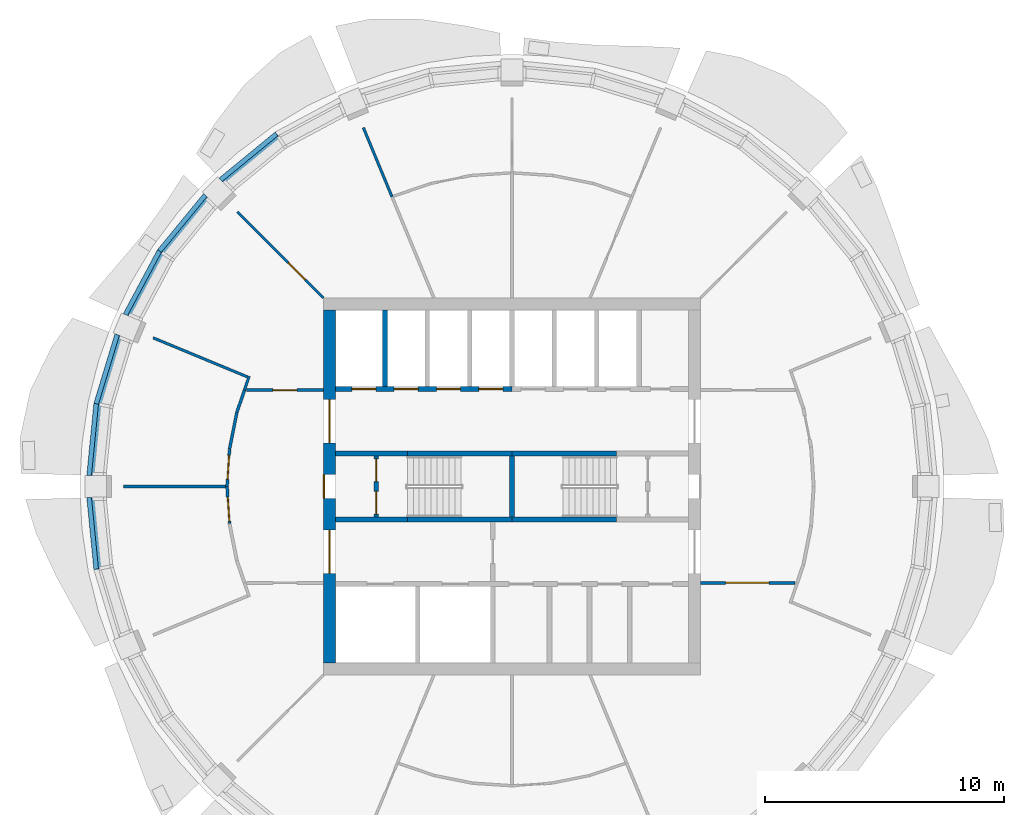
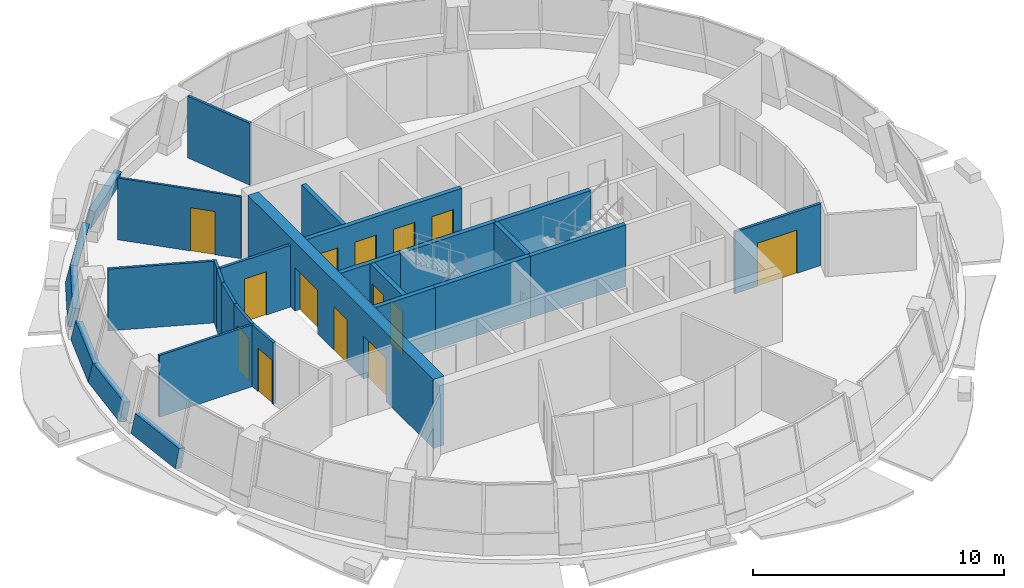
# One storey, part 5 of 11: 28 walls, 14 doors, 14 openings.
"""IFC4 building model written with IfcOpenShell, lengths in metres."""

from ifc_helpers import new_model, si_unit, direction, frame, frame_2d, origin, place, context, subcontext, project, spatial, polyline, rectangle, outline, extrude, material, layer, layer_set, type_object, element, fill, save


model = new_model("IFC4")

# Units and contexts
model_context = context("Model", 3, precision=1e-05, world=origin(), true_north=direction((0.0, 1.0)))
body_context = subcontext(model_context, "Body", "Model", "MODEL_VIEW")
ifc_project = project(units=[si_unit("LENGTHUNIT", "METRE"), si_unit("AREAUNIT", "SQUARE_METRE"), si_unit("VOLUMEUNIT", "CUBIC_METRE"), si_unit("PLANEANGLEUNIT", "RADIAN"), si_unit("MASSUNIT", "GRAM", prefix="KILO")], contexts=[model_context])

# Site, building, storey
site_placement = place(None, origin())
site = spatial("IfcSite", under=ifc_project, at=site_placement, CompositionType="ELEMENT")
building_placement = place(site_placement, origin())
building = spatial("IfcBuilding", under=site, at=building_placement, Name="Polderwave Tower", CompositionType="ELEMENT")
storey_placement = place(building_placement, frame((0.0, 0.0, 194.35009765625)))
storey = spatial("IfcBuildingStorey", under=building, at=storey_placement, Name="L52", CompositionType="ELEMENT", Elevation=194.35009765625)

# Wall, openings, doors
ifc_material_1 = material(Name="Concrete C60/75", Category="concrete")
ifc_layer_1 = layer(ifc_material_1, 0.5)
ifc_layer_set_1 = layer_set([ifc_layer_1], Name="CORE WALL 500 C60/75")
wall_type_1 = type_object("IfcWallType", Name="CORE WALL 500 C60/75", PredefinedType="SHEAR", material=ifc_layer_set_1)
wall_1_placement = place(storey_placement, frame((-7.6240234375, -7.3740234375, 0.0), z_axis=(0.0, 0.0, 1.0), x_axis=(0.0, 1.0, 0.0)))
wall_1 = element("IfcWall", 1, at=wall_1_placement, inside=storey, type_object=wall_type_1, Name="ST-CORE-L52-W", PredefinedType="SHEAR", context=body_context, shape_type="SweptSolid", body=[
    extrude(rectangle(XDim=14.748046875, YDim=0.5, at=frame_2d((7.3740234375, 0.0))), origin(), (0.0, 0.0, 1.0), 3.349853515625),
])
opening_1_placement = place(wall_1_placement, frame((6.8740234375, 0.0, 0.0)))
opening_1 = element("IfcOpeningElement", 2, at=opening_1_placement, cuts=wall_1, Name="Opening L52-D20", PredefinedType="OPENING", context=body_context, shape_type="SweptSolid", body=[
    extrude(rectangle(XDim=1.0, YDim=2.10009765625, at=frame_2d((0.5, 1.050048828125))), frame((0.0, 0.260009765625, 0.0), z_axis=(0.0, -1.0, 0.0), x_axis=(1.0, 0.0, 0.0)), (0.0, 0.0, 1.0), 0.52001953125),
])
opening_2_placement = place(wall_1_placement, frame((3.74951171875, 0.0, 0.0)))
opening_2 = element("IfcOpeningElement", 3, at=opening_2_placement, cuts=wall_1, Name="Opening L52-D21", PredefinedType="OPENING", context=body_context, shape_type="SweptSolid", body=[
    extrude(rectangle(XDim=1.800048828125, YDim=2.10009765625, at=frame_2d((0.89990234375, 1.050048828125))), frame((0.0, 0.260009765625, 0.0), z_axis=(0.0, -1.0, 0.0), x_axis=(1.0, 0.0, 0.0)), (0.0, 0.0, 1.0), 0.52001953125),
])
opening_3_placement = place(wall_1_placement, frame((9.198486328125, 0.0, 0.0)))
opening_3 = element("IfcOpeningElement", 4, at=opening_3_placement, cuts=wall_1, Name="Opening L52-D22", PredefinedType="OPENING", context=body_context, shape_type="SweptSolid", body=[
    extrude(rectangle(XDim=1.800048828125, YDim=2.10009765625, at=frame_2d((0.89990234375, 1.050048828125))), frame((0.0, 0.260009765625, 0.0), z_axis=(0.0, -1.0, 0.0), x_axis=(1.0, 0.0, 0.0)), (0.0, 0.0, 1.0), 0.52001953125),
])
ifc_material_2 = material(Name="Steel fire door", Category="steel")
door_type_1 = type_object("IfcDoorType", Name="Lobby entry door pair 1800", OperationType="DOUBLE_DOOR_SINGLE_SWING", PredefinedType="DOOR", material=ifc_material_2)
door_1_placement = place(opening_2_placement, origin())
door_1 = element("IfcDoor", 5, at=door_1_placement, inside=storey, type_object=door_type_1, Name="Fire-fighting lobby entry door", OperationType="DOUBLE_DOOR_SINGLE_SWING", OverallHeight=2.10009765625, OverallWidth=1.800048828125, PredefinedType="DOOR", context=body_context, shape_type="SweptSolid", body=[
    extrude(rectangle(XDim=1.800048828125, YDim=2.10009765625, at=frame_2d((0.89990234375, 1.050048828125))), frame((0.0, 0.02490234375, 0.0), z_axis=(0.0, -1.0, 0.0), x_axis=(1.0, 0.0, 0.0)), (0.0, 0.0, 1.0), 0.050048828125),
])
fill(opening_2, door_1)
door_2_placement = place(opening_3_placement, origin())
door_2 = element("IfcDoor", 6, at=door_2_placement, inside=storey, type_object=door_type_1, Name="North lobby entry door", OperationType="DOUBLE_DOOR_SINGLE_SWING", OverallHeight=2.10009765625, OverallWidth=1.800048828125, PredefinedType="DOOR", context=body_context, shape_type="SweptSolid", body=[
    extrude(rectangle(XDim=1.800048828125, YDim=2.10009765625, at=frame_2d((0.89990234375, 1.050048828125))), frame((0.0, 0.02490234375, 0.0), z_axis=(0.0, -1.0, 0.0), x_axis=(1.0, 0.0, 0.0)), (0.0, 0.0, 1.0), 0.050048828125),
])
fill(opening_3, door_2)
door_type_2 = type_object("IfcDoorType", Name="Stair door 1000", OperationType="NOTDEFINED", PredefinedType="DOOR", material=ifc_material_2)
door_3_placement = place(opening_1_placement, origin())
door_3 = element("IfcDoor", 7, at=door_3_placement, inside=storey, type_object=door_type_2, Name="Stair A entry door", OperationType="SINGLE_SWING_RIGHT", OverallHeight=2.10009765625, OverallWidth=1.0, PredefinedType="DOOR", context=body_context, shape_type="SweptSolid", body=[
    extrude(rectangle(XDim=1.0, YDim=2.10009765625, at=frame_2d((0.5, 1.050048828125))), frame((0.0, 0.25, 0.0), z_axis=(0.0, -1.0, 0.0), x_axis=(1.0, 0.0, 0.0)), (0.0, 0.0, 1.0), 0.050048828125),
])
fill(opening_1, door_3)

# Walls
ifc_material_3 = material(Name="Concrete C50/60 (board-marked)", Category="concrete")
ifc_layer_2 = layer(ifc_material_3, 0.300048828125)
ifc_layer_set_2 = layer_set([ifc_layer_2], Name="Concrete spandrel upstand C50/60")
wall_type_2 = type_object("IfcWallType", Name="Concrete spandrel upstand C50/60", PredefinedType="SOLIDWALL", material=ifc_layer_set_2)
wall_2_placement = place(storey_placement, frame((-9.8916015625, 14.80419921875, 0.0), z_axis=(-0.619802269372, 0.755497688388, 0.212293169277), x_axis=(-0.773120249997, -0.634259472964, -5.64234e-07)))
element("IfcWall", 8, at=wall_2_placement, inside=storey, type_object=wall_type_2, Name="Spandrel L52 6b", PredefinedType="SOLIDWALL", context=body_context, shape_type="SweptSolid", body=[
    extrude(outline(polyline([(0.0, 0.0), (3.0362768375144626, 0.0), (3.01698634388749, 0.9208949038144901), (0.019221864233381108, 0.9208914197913123), (0.0, 0.0)])), origin(), (0.0, 0.0, -1.0), 0.300048828125),
])
wall_3_placement = place(storey_placement, frame((-12.87841796875, 12.239013671875, 0.0), z_axis=(-0.755500106736, 0.619771818159, 0.212373449702), x_axis=(-0.634240527939, -0.773135791887, -4.761105e-06)))
element("IfcWall", 9, at=wall_3_placement, inside=storey, type_object=wall_type_2, Name="Spandrel L52 7a", PredefinedType="SOLIDWALL", context=body_context, shape_type="SweptSolid", body=[
    extrude(outline(polyline([(0.0, 0.0), (3.0362768367621835, 0.0), (3.0172437244918555, 0.9209243016317832), (0.01929049212719335, 0.9208949013655712), (0.0, 0.0)])), origin(), (0.0, 0.0, -1.0), 0.300048828125),
])
wall_4_placement = place(storey_placement, frame((-14.80419921875, 9.8916015625, 0.0), z_axis=(-0.861789394807, 0.460754770514, 0.212188784921), x_axis=(-0.471490043987, -0.881871384263, 6.256758e-06)))
element("IfcWall", 10, at=wall_4_placement, inside=storey, type_object=wall_type_2, Name="Spandrel L52 7b", PredefinedType="SOLIDWALL", context=body_context, shape_type="SweptSolid", body=[
    extrude(outline(polyline([(0.0, 0.0), (3.03554549958396, 5.551115123125783e-17), (3.016121787351928, 0.9208524867681933), (0.01923650677477023, 0.9208911097248913), (0.0, 0.0)])), origin(), (0.0, 0.0, -1.0), 0.300048828125),
])
wall_5_placement = place(storey_placement, frame((-16.581298828125, 6.37890625, 0.0), z_axis=(-0.935106755918, 0.283813796785, 0.212191149183), x_axis=(-0.290427135022, -0.95689711006, 1.064503e-06)))
element("IfcWall", 11, at=wall_5_placement, inside=storey, type_object=wall_type_2, Name="Spandrel L52 8a", PredefinedType="SOLIDWALL", context=body_context, shape_type="SweptSolid", body=[
    extrude(outline(polyline([(0.0, 0.0), (3.036390458624818, -2.7755575615628914e-17), (3.0168916459767527, 0.9208689950614573), (0.01927267390959606, 0.9208755679572916), (0.0, 0.0)])), origin(), (0.0, 0.0, -1.0), 0.300048828125),
])
wall_6_placement = place(storey_placement, frame((-17.463134765625, 3.473388671875, 0.0), z_axis=(-0.97243560254, 0.095859451019, 0.212555791646), x_axis=(-0.098101931965, -0.995176371772, -3.531569e-06)))
element("IfcWall", 12, at=wall_6_placement, inside=storey, type_object=wall_type_2, Name="Spandrel L52 8b", PredefinedType="SOLIDWALL", context=body_context, shape_type="SweptSolid", body=[
    extrude(outline(polyline([(0.0, 0.0), (3.0356437454340064, 0.0), (3.0160933667967216, 0.9209578660590205), (0.019220983093998154, 0.920936063603324), (0.0, 0.0)])), origin(), (0.0, 0.0, -1.0), 0.300048828125),
])
wall_7_placement = place(storey_placement, frame((-17.760986328125, -0.452392578125, 0.0), z_axis=(-0.97249010376, -0.095864823567, 0.212303871116), x_axis=(0.098101930154, -0.99517637195, 3.527581e-06)))
element("IfcWall", 13, at=wall_7_placement, inside=storey, type_object=wall_type_2, Name="Spandrel L52 9a", PredefinedType="SOLIDWALL", context=body_context, shape_type="SweptSolid", body=[
    extrude(outline(polyline([(0.0, 0.0), (3.0356437454339593, 0.0), (3.0163988077285375, 0.9208844640206579), (0.019526424025674134, 0.9209062406361449), (0.0, 0.0)])), origin(), (0.0, 0.0, -1.0), 0.300048828125),
])

# Wall, openings, doors
ifc_material_4 = material(Name="Gypsum board partition")
ifc_layer_3 = layer(ifc_material_4, 0.199951171875)
ifc_layer_set_3 = layer_set([ifc_layer_3], Name="Core room partition 200")
wall_type_3 = type_object("IfcWallType", Name="Core room partition 200", PredefinedType="PARTITIONING", material=ifc_layer_set_3)
wall_8_placement = place(storey_placement, frame((-5.674072265625, -1.27490234375, 0.0), z_axis=(0.0, 0.0, 1.0), x_axis=(0.0, 1.0, 0.0)))
wall_8 = element("IfcWall", 14, at=wall_8_placement, inside=storey, type_object=wall_type_3, Name="L52 smoke lobby wall A", PredefinedType="PARTITIONING", context=body_context, shape_type="SweptSolid", body=[
    extrude(rectangle(XDim=2.5498046875, YDim=0.199951171875, at=frame_2d((1.27490234375, 0.0))), origin(), (0.0, 0.0, 1.0), 3.0),
])
opening_4_placement = place(wall_8_placement, frame((0.125, 0.0, 0.0)))
opening_4 = element("IfcOpeningElement", 15, at=opening_4_placement, cuts=wall_8, Name="Opening L52-D10", PredefinedType="OPENING", context=body_context, shape_type="SweptSolid", body=[
    extrude(rectangle(XDim=0.949951171875, YDim=2.10009765625, at=frame_2d((0.47509765625, 1.050048828125))), frame((0.0, 0.10986328125, 0.0), z_axis=(0.0, -1.0, 0.0), x_axis=(1.0, 0.0, 0.0)), (0.0, 0.0, 1.0), 0.219970703125),
])
opening_5_placement = place(wall_8_placement, frame((1.47509765625, 0.0, 0.0)))
opening_5 = element("IfcOpeningElement", 16, at=opening_5_placement, cuts=wall_8, Name="Opening L52-D11", PredefinedType="OPENING", context=body_context, shape_type="SweptSolid", body=[
    extrude(rectangle(XDim=0.949951171875, YDim=2.10009765625, at=frame_2d((0.47509765625, 1.050048828125))), frame((0.0, 0.10986328125, 0.0), z_axis=(0.0, -1.0, 0.0), x_axis=(1.0, 0.0, 0.0)), (0.0, 0.0, 1.0), 0.219970703125),
])
door_type_3 = type_object("IfcDoorType", Name="Smoke lobby door 950", OperationType="NOTDEFINED", PredefinedType="DOOR", material=ifc_material_2)
door_4_placement = place(opening_4_placement, origin())
door_4 = element("IfcDoor", 17, at=door_4_placement, inside=storey, type_object=door_type_3, Name="Stair A smoke lobby inner door", OperationType="SINGLE_SWING_LEFT", OverallHeight=2.10009765625, OverallWidth=0.949951171875, PredefinedType="DOOR", context=body_context, shape_type="SweptSolid", body=[
    extrude(rectangle(XDim=0.949951171875, YDim=2.10009765625, at=frame_2d((0.47509765625, 1.050048828125))), frame((0.0, 0.02490234375, 0.0), z_axis=(0.0, -1.0, 0.0), x_axis=(1.0, 0.0, 0.0)), (0.0, 0.0, 1.0), 0.050048828125),
])
fill(opening_4, door_4)
door_5_placement = place(opening_5_placement, origin())
door_5 = element("IfcDoor", 18, at=door_5_placement, inside=storey, type_object=door_type_3, Name="Stair A smoke lobby inner door", OperationType="SINGLE_SWING_RIGHT", OverallHeight=2.10009765625, OverallWidth=0.949951171875, PredefinedType="DOOR", context=body_context, shape_type="SweptSolid", body=[
    extrude(rectangle(XDim=0.949951171875, YDim=2.10009765625, at=frame_2d((0.47509765625, 1.050048828125))), frame((0.0, 0.02490234375, 0.0), z_axis=(0.0, -1.0, 0.0), x_axis=(1.0, 0.0, 0.0)), (0.0, 0.0, 1.0), 0.050048828125),
])
fill(opening_5, door_5)

ifc_material_5 = material(Name="Concrete C50/60", Category="concrete")
ifc_layer_4 = layer(ifc_material_5, 0.199951171875)
ifc_layer_set_4 = layer_set([ifc_layer_4], Name="Core web wall 200")
wall_type_4 = type_object("IfcWallType", Name="Core web wall 200", PredefinedType="SHEAR", material=ifc_layer_set_4)
wall_9_placement = place(storey_placement, frame((-7.3740234375, 4.073974609375, 0.0), z_axis=(0.0, 0.0, 1.0), x_axis=(1.0, 0.0, 0.0)))
wall_9 = element("IfcWall", 19, at=wall_9_placement, inside=storey, type_object=wall_type_4, Name="L52 north front wall 1", PredefinedType="SHEAR", context=body_context, shape_type="SweptSolid", body=[
    extrude(rectangle(XDim=7.3740234375, YDim=0.199951171875, at=frame_2d((3.68701171875, 0.0))), origin(), (0.0, 0.0, 1.0), 3.0),
])
opening_6_placement = place(wall_9_placement, frame((0.68408203125, 0.0, 0.0)))
opening_6 = element("IfcOpeningElement", 20, at=opening_6_placement, cuts=wall_9, Name="Opening L52-D03", PredefinedType="OPENING", context=body_context, shape_type="SweptSolid", body=[
    extrude(rectangle(XDim=1.0, YDim=2.10009765625, at=frame_2d((0.5, 1.050048828125))), frame((0.0, 0.10986328125, 0.0), z_axis=(0.0, -1.0, 0.0), x_axis=(1.0, 0.0, 0.0)), (0.0, 0.0, 1.0), 0.219970703125),
])
opening_7_placement = place(wall_9_placement, frame((2.45263671875, 0.0, 0.0)))
opening_7 = element("IfcOpeningElement", 21, at=opening_7_placement, cuts=wall_9, Name="Opening L52-D04", PredefinedType="OPENING", context=body_context, shape_type="SweptSolid", body=[
    extrude(rectangle(XDim=1.0, YDim=2.10009765625, at=frame_2d((0.5, 1.050048828125))), frame((0.0, 0.10986328125, 0.0), z_axis=(0.0, -1.0, 0.0), x_axis=(1.0, 0.0, 0.0)), (0.0, 0.0, 1.0), 0.219970703125),
])
opening_8_placement = place(wall_9_placement, frame((4.22119140625, 0.0, 0.0)))
opening_8 = element("IfcOpeningElement", 22, at=opening_8_placement, cuts=wall_9, Name="Opening L52-D05", PredefinedType="OPENING", context=body_context, shape_type="SweptSolid", body=[
    extrude(rectangle(XDim=1.0, YDim=2.10009765625, at=frame_2d((0.5, 1.050048828125))), frame((0.0, 0.10986328125, 0.0), z_axis=(0.0, -1.0, 0.0), x_axis=(1.0, 0.0, 0.0)), (0.0, 0.0, 1.0), 0.219970703125),
])
opening_9_placement = place(wall_9_placement, frame((5.98974609375, 0.0, 0.0)))
opening_9 = element("IfcOpeningElement", 23, at=opening_9_placement, cuts=wall_9, Name="Opening L52-D06", PredefinedType="OPENING", context=body_context, shape_type="SweptSolid", body=[
    extrude(rectangle(XDim=1.0, YDim=2.10009765625, at=frame_2d((0.5, 1.050048828125))), frame((0.0, 0.10986328125, 0.0), z_axis=(0.0, -1.0, 0.0), x_axis=(1.0, 0.0, 0.0)), (0.0, 0.0, 1.0), 0.219970703125),
])
ifc_material_6 = material(Name="Stainless steel", Category="steel")
door_type_4 = type_object("IfcDoorType", Name="Lift landing door 1000", OperationType="DOUBLE_DOOR_SLIDING", PredefinedType="DOOR", material=ifc_material_6)
door_6_placement = place(opening_6_placement, frame((1.0, 0.0, 0.0), z_axis=(0.0, 0.0, 1.0), x_axis=(-1.0, 0.0, 0.0)))
door_6 = element("IfcDoor", 24, at=door_6_placement, inside=storey, type_object=door_type_4, Name="Lift HL1 landing door", OperationType="DOUBLE_DOOR_SLIDING", OverallHeight=2.10009765625, OverallWidth=1.0, PredefinedType="DOOR", context=body_context, shape_type="SweptSolid", body=[
    extrude(rectangle(XDim=1.0, YDim=2.10009765625, at=frame_2d((0.5, 1.050048828125))), frame((0.0, 0.02490234375, 0.0), z_axis=(0.0, -1.0, 0.0), x_axis=(1.0, 0.0, 0.0)), (0.0, 0.0, 1.0), 0.050048828125),
])
fill(opening_6, door_6)
door_7_placement = place(opening_7_placement, frame((1.0, 0.0, 0.0), z_axis=(0.0, 0.0, 1.0), x_axis=(-1.0, 0.0, 0.0)))
door_7 = element("IfcDoor", 25, at=door_7_placement, inside=storey, type_object=door_type_4, Name="Lift HL2 landing door", OperationType="DOUBLE_DOOR_SLIDING", OverallHeight=2.10009765625, OverallWidth=1.0, PredefinedType="DOOR", context=body_context, shape_type="SweptSolid", body=[
    extrude(rectangle(XDim=1.0, YDim=2.10009765625, at=frame_2d((0.5, 1.050048828125))), frame((0.0, 0.02490234375, 0.0), z_axis=(0.0, -1.0, 0.0), x_axis=(1.0, 0.0, 0.0)), (0.0, 0.0, 1.0), 0.050048828125),
])
fill(opening_7, door_7)
door_8_placement = place(opening_8_placement, frame((1.0, 0.0, 0.0), z_axis=(0.0, 0.0, 1.0), x_axis=(-1.0, 0.0, 0.0)))
door_8 = element("IfcDoor", 26, at=door_8_placement, inside=storey, type_object=door_type_4, Name="Lift HL3 landing door", OperationType="DOUBLE_DOOR_SLIDING", OverallHeight=2.10009765625, OverallWidth=1.0, PredefinedType="DOOR", context=body_context, shape_type="SweptSolid", body=[
    extrude(rectangle(XDim=1.0, YDim=2.10009765625, at=frame_2d((0.5, 1.050048828125))), frame((0.0, 0.02490234375, 0.0), z_axis=(0.0, -1.0, 0.0), x_axis=(1.0, 0.0, 0.0)), (0.0, 0.0, 1.0), 0.050048828125),
])
fill(opening_8, door_8)
door_9_placement = place(opening_9_placement, frame((1.0, 0.0, 0.0), z_axis=(0.0, 0.0, 1.0), x_axis=(-1.0, 0.0, 0.0)))
door_9 = element("IfcDoor", 27, at=door_9_placement, inside=storey, type_object=door_type_4, Name="Lift HL4 landing door", OperationType="DOUBLE_DOOR_SLIDING", OverallHeight=2.10009765625, OverallWidth=1.0, PredefinedType="DOOR", context=body_context, shape_type="SweptSolid", body=[
    extrude(rectangle(XDim=1.0, YDim=2.10009765625, at=frame_2d((0.5, 1.050048828125))), frame((0.0, 0.02490234375, 0.0), z_axis=(0.0, -1.0, 0.0), x_axis=(1.0, 0.0, 0.0)), (0.0, 0.0, 1.0), 0.050048828125),
])
fill(opening_9, door_9)

# Walls
wall_10_placement = place(storey_placement, frame((-7.3740234375, -1.375, 0.0), z_axis=(0.0, 0.0, 1.0), x_axis=(1.0, 0.0, 0.0)))
element("IfcWall", 28, at=wall_10_placement, inside=storey, type_object=wall_type_4, Name="L52 south stair wall 1", PredefinedType="SHEAR", context=body_context, shape_type="SweptSolid", body=[
    extrude(rectangle(XDim=3.0, YDim=0.199951171875, at=frame_2d((1.5, 0.0))), origin(), (0.0, 0.0, 1.0), 3.0),
])
for number, where, z_axis, x_axis, name in (
    (29, (-4.3740234375, -1.375, 0.0), (0.0, 0.0, 1.0), (1.0, 0.0, 0.0), "L52 south stair wall 2"),
    (30, (0.0, -1.375, 0.0), (0.0, 0.0, 1.0), (1.0, 0.0, 0.0), "L52 south stair wall 3"),
):
    element("IfcWall", number, at=place(storey_placement, frame(where, z_axis=z_axis, x_axis=x_axis)), inside=storey, type_object=wall_type_4, Name=name, PredefinedType="SHEAR", context=body_context, shape_type="SweptSolid", body=[
        extrude(rectangle(XDim=4.3740234375, YDim=0.199951171875, at=frame_2d((2.18701171875, 0.0))), origin(), (0.0, 0.0, 1.0), 3.0),
    ])
wall_11_placement = place(storey_placement, frame((-7.3740234375, 1.375, 0.0), z_axis=(0.0, 0.0, 1.0), x_axis=(1.0, 0.0, 0.0)))
element("IfcWall", 31, at=wall_11_placement, inside=storey, type_object=wall_type_4, Name="L52 north stair wall 1", PredefinedType="SHEAR", context=body_context, shape_type="SweptSolid", body=[
    extrude(rectangle(XDim=3.0, YDim=0.199951171875, at=frame_2d((1.5, 0.0))), origin(), (0.0, 0.0, 1.0), 3.0),
])
for number, where, z_axis, x_axis, name in (
    (32, (-4.3740234375, 1.375, 0.0), (0.0, 0.0, 1.0), (1.0, 0.0, 0.0), "L52 north stair wall 2"),
    (33, (0.0, 1.375, 0.0), (0.0, 0.0, 1.0), (1.0, 0.0, 0.0), "L52 north stair wall 3"),
):
    element("IfcWall", number, at=place(storey_placement, frame(where, z_axis=z_axis, x_axis=x_axis)), inside=storey, type_object=wall_type_4, Name=name, PredefinedType="SHEAR", context=body_context, shape_type="SweptSolid", body=[
        extrude(rectangle(XDim=4.3740234375, YDim=0.199951171875, at=frame_2d((2.18701171875, 0.0))), origin(), (0.0, 0.0, 1.0), 3.0),
    ])
wall_12_placement = place(storey_placement, frame((0.0, -1.27490234375, 0.0), z_axis=(0.0, 0.0, 1.0), x_axis=(0.0, 1.0, 0.0)))
element("IfcWall", 34, at=wall_12_placement, inside=storey, type_object=wall_type_4, Name="L52 wall between the stairs", PredefinedType="SHEAR", context=body_context, shape_type="SweptSolid", body=[
    extrude(rectangle(XDim=2.5498046875, YDim=0.199951171875, at=frame_2d((1.27490234375, 0.0))), origin(), (0.0, 0.0, 1.0), 3.0),
])

# Wall, opening, door
ifc_material_7 = material(Name="Fire-resisting board on steel studs", Category="steel")
ifc_layer_5 = layer(ifc_material_7, 0.125)
ifc_layer_set_5 = layer_set([ifc_layer_5], Name="Corridor wall 125 mm EI 60")
wall_type_5 = type_object("IfcWallType", Name="Corridor wall 125 mm EI 60", PredefinedType="PARTITIONING", material=ifc_layer_set_5)
wall_13_placement = place(storey_placement, frame((11.82421875, -4.0244140625, 0.0), z_axis=(0.0, 0.0, 1.0), x_axis=(-1.0, 0.0, 0.0)))
wall_13 = element("IfcWall", 35, at=wall_13_placement, inside=storey, type_object=wall_type_5, Name="IN-L52-W008", PredefinedType="PARTITIONING", context=body_context, shape_type="SweptSolid", body=[
    extrude(rectangle(XDim=3.9501953125, YDim=0.125, at=frame_2d((1.97509765625, 0.0))), origin(), (0.0, 0.0, 1.0), 3.0),
])
opening_10_placement = place(wall_13_placement, frame((1.10009765625, 0.0, 0.0)))
opening_10 = element("IfcOpeningElement", 36, at=opening_10_placement, cuts=wall_13, Name="Opening L52-D52", PredefinedType="OPENING", context=body_context, shape_type="SweptSolid", body=[
    extrude(rectangle(XDim=1.800048828125, YDim=2.10009765625, at=frame_2d((0.89990234375, 1.050048828125))), frame((0.0, 0.072509765625, 0.0), z_axis=(0.0, -1.0, 0.0), x_axis=(1.0, 0.0, 0.0)), (0.0, 0.0, 1.0), 0.14501953125),
])
ifc_material_8 = material(Name="Timber fire door leaves", Category="wood")
door_type_5 = type_object("IfcDoorType", Name="Double fire door FD30S 1800 x 2100", OperationType="NOTDEFINED", PredefinedType="DOOR", material=ifc_material_8)
door_10_placement = place(opening_10_placement, origin())
door_10 = element("IfcDoor", 37, at=door_10_placement, inside=storey, type_object=door_type_5, Name="Door L52-D52", OperationType="DOUBLE_DOOR_SINGLE_SWING", OverallHeight=2.10009765625, OverallWidth=1.800048828125, PredefinedType="DOOR", context=body_context, shape_type="SweptSolid", body=[
    extrude(rectangle(XDim=1.800048828125, YDim=2.10009765625, at=frame_2d((0.89990234375, 1.050048828125))), frame((0.0, 0.02490234375, 0.0), z_axis=(0.0, -1.0, 0.0), x_axis=(1.0, 0.0, 0.0)), (0.0, 0.0, 1.0), 0.050048828125),
])
fill(opening_10, door_10)

wall_14_placement = place(storey_placement, frame((-11.086669921875, 4.0244140625, 0.0), z_axis=(0.0, 0.0, 1.0), x_axis=(1.0, 0.0, 0.0)))
wall_14 = element("IfcWall", 38, at=wall_14_placement, inside=storey, type_object=wall_type_5, Name="IN-L52-W009", PredefinedType="PARTITIONING", context=body_context, shape_type="SweptSolid", body=[
    extrude(rectangle(XDim=3.212646484375, YDim=0.125, at=frame_2d((1.6064453125, 0.0))), origin(), (0.0, 0.0, 1.0), 3.0),
])
opening_11_placement = place(wall_14_placement, frame((1.10009765625, 0.0, 0.0)))
opening_11 = element("IfcOpeningElement", 39, at=opening_11_placement, cuts=wall_14, Name="Opening L52-D53", PredefinedType="OPENING", context=body_context, shape_type="SweptSolid", body=[
    extrude(rectangle(XDim=1.0, YDim=2.10009765625, at=frame_2d((0.5, 1.050048828125))), frame((0.0, 0.072509765625, 0.0), z_axis=(0.0, -1.0, 0.0), x_axis=(1.0, 0.0, 0.0)), (0.0, 0.0, 1.0), 0.14501953125),
])
ifc_material_9 = material(Name="Timber fire door leaf", Category="wood")
door_type_6 = type_object("IfcDoorType", Name="Fire door FD30S 1000 x 2100", OperationType="NOTDEFINED", PredefinedType="DOOR", material=ifc_material_9)
door_11_placement = place(opening_11_placement, origin())
door_11 = element("IfcDoor", 40, at=door_11_placement, inside=storey, type_object=door_type_6, Name="Door L52-D53", OperationType="SINGLE_SWING_LEFT", OverallHeight=2.10009765625, OverallWidth=1.0, PredefinedType="DOOR", context=body_context, shape_type="SweptSolid", body=[
    extrude(rectangle(XDim=1.0, YDim=2.10009765625, at=frame_2d((0.5, 1.050048828125))), frame((0.0, 0.02490234375, 0.0), z_axis=(0.0, -1.0, 0.0), x_axis=(1.0, 0.0, 0.0)), (0.0, 0.0, 1.0), 0.050048828125),
])
fill(opening_11, door_11)

wall_15_placement = place(storey_placement, frame((-11.89990234375, 0.0, 0.0), z_axis=(0.0, 0.0, 1.0), x_axis=(0.065256137235, 0.99786854673, 0.0)))
wall_15 = element("IfcWall", 41, at=wall_15_placement, inside=storey, type_object=wall_type_5, Name="IN-L52-W010", PredefinedType="PARTITIONING", context=body_context, shape_type="SweptSolid", body=[
    extrude(rectangle(XDim=1.552734375, YDim=0.125, at=frame_2d((0.7763671875, 0.0))), origin(), (0.0, 0.0, 1.0), 3.0),
])
opening_12_placement = place(wall_15_placement, frame((0.300048828125, 0.0, 0.0)))
opening_12 = element("IfcOpeningElement", 42, at=opening_12_placement, cuts=wall_15, Name="Opening L52-D54", PredefinedType="OPENING", context=body_context, shape_type="SweptSolid", body=[
    extrude(rectangle(XDim=1.0, YDim=2.10009765625, at=frame_2d((0.5, 1.050048828125))), frame((0.0, 0.072509765625, 0.0), z_axis=(0.0, -1.0, 0.0), x_axis=(1.0, 0.0, 0.0)), (0.0, 0.0, 1.0), 0.14501953125),
])
door_12_placement = place(opening_12_placement, origin())
door_12 = element("IfcDoor", 43, at=door_12_placement, inside=storey, type_object=door_type_6, Name="Door L52-D54", OperationType="SINGLE_SWING_RIGHT", OverallHeight=2.10009765625, OverallWidth=1.0, PredefinedType="DOOR", context=body_context, shape_type="SweptSolid", body=[
    extrude(rectangle(XDim=1.0, YDim=2.10009765625, at=frame_2d((0.5, 1.050048828125))), frame((0.0, 0.02490234375, 0.0), z_axis=(0.0, -1.0, 0.0), x_axis=(1.0, 0.0, 0.0)), (0.0, 0.0, 1.0), 0.050048828125),
])
fill(opening_12, door_12)

# Walls
wall_16_placement = place(storey_placement, frame((-11.79736328125, 1.557373046875, 0.0), z_axis=(0.0, 0.0, 1.0), x_axis=(0.195054687935, 0.98079236779, 0.0)))
element("IfcWall", 44, at=wall_16_placement, inside=storey, type_object=wall_type_5, Name="IN-L52-W011", PredefinedType="PARTITIONING", context=body_context, shape_type="SweptSolid", body=[
    extrude(rectangle(XDim=1.54833984375, YDim=0.125, at=frame_2d((0.774169921875, 0.0))), origin(), (0.0, 0.0, 1.0), 3.0),
])
wall_17_placement = place(storey_placement, frame((-11.4931640625, 3.083740234375, 0.0), z_axis=(0.0, 0.0, 1.0), x_axis=(0.321457698768, 0.946923939872, 0.0)))
element("IfcWall", 45, at=wall_17_placement, inside=storey, type_object=wall_type_5, Name="IN-L52-W012", PredefinedType="PARTITIONING", context=body_context, shape_type="SweptSolid", body=[
    extrude(rectangle(XDim=0.993408203125, YDim=0.125, at=frame_2d((0.49658203125, 0.0))), origin(), (0.0, 0.0, 1.0), 3.0),
])

# Wall, opening, door
wall_18_placement = place(storey_placement, frame((-11.798583984375, -1.54931640625, 0.0), z_axis=(0.0, 0.0, 1.0), x_axis=(-0.065256137235, 0.99786854673, 0.0)))
wall_18 = element("IfcWall", 46, at=wall_18_placement, inside=storey, type_object=wall_type_5, Name="IN-L52-W013", PredefinedType="PARTITIONING", context=body_context, shape_type="SweptSolid", body=[
    extrude(rectangle(XDim=1.552734375, YDim=0.125, at=frame_2d((0.7763671875, 0.0))), origin(), (0.0, 0.0, 1.0), 3.0),
])
opening_13_placement = place(wall_18_placement, frame((0.10009765625, 0.0, 0.0)))
opening_13 = element("IfcOpeningElement", 47, at=opening_13_placement, cuts=wall_18, Name="Opening L52-D55", PredefinedType="OPENING", context=body_context, shape_type="SweptSolid", body=[
    extrude(rectangle(XDim=1.0, YDim=2.10009765625, at=frame_2d((0.5, 1.050048828125))), frame((0.0, 0.072509765625, 0.0), z_axis=(0.0, -1.0, 0.0), x_axis=(1.0, 0.0, 0.0)), (0.0, 0.0, 1.0), 0.14501953125),
])
door_13_placement = place(opening_13_placement, origin())
door_13 = element("IfcDoor", 48, at=door_13_placement, inside=storey, type_object=door_type_6, Name="Door L52-D55", OperationType="SINGLE_SWING_LEFT", OverallHeight=2.10009765625, OverallWidth=1.0, PredefinedType="DOOR", context=body_context, shape_type="SweptSolid", body=[
    extrude(rectangle(XDim=1.0, YDim=2.10009765625, at=frame_2d((0.5, 1.050048828125))), frame((0.0, 0.02490234375, 0.0), z_axis=(0.0, -1.0, 0.0), x_axis=(1.0, 0.0, 0.0)), (0.0, 0.0, 1.0), 0.050048828125),
])
fill(opening_13, door_13)

ifc_material_10 = material(Name="Plasterboard on steel studs", Category="steel")
ifc_layer_6 = layer(ifc_material_10, 0.10009765625)
ifc_layer_set_6 = layer_set([ifc_layer_6], Name="Partition 100 mm plasterboard on steel studs")
wall_type_6 = type_object("IfcWallType", Name="Partition 100 mm plasterboard on steel studs", PredefinedType="PARTITIONING", material=ifc_layer_set_6)
wall_19_placement = place(storey_placement, frame((-11.46923828125, 11.46923828125, 0.0), z_axis=(0.0, 0.0, 1.0), x_axis=(0.707106781187, -0.707106781187, 0.0)))
wall_19 = element("IfcWall", 49, at=wall_19_placement, inside=storey, type_object=wall_type_6, Name="IN-L52-W034", PredefinedType="PARTITIONING", context=body_context, shape_type="SweptSolid", body=[
    extrude(rectangle(XDim=5.08447265625, YDim=0.10009765625, at=frame_2d((2.542236328125, 0.0))), origin(), (0.0, 0.0, 1.0), 3.0),
])
opening_14_placement = place(wall_19_placement, frame((3.0, 0.0, 0.0)))
opening_14 = element("IfcOpeningElement", 50, at=opening_14_placement, cuts=wall_19, Name="Opening L52-D62", PredefinedType="OPENING", context=body_context, shape_type="SweptSolid", body=[
    extrude(rectangle(XDim=1.0, YDim=2.10009765625, at=frame_2d((0.5, 1.050048828125))), frame((0.0, 0.06005859375, 0.0), z_axis=(0.0, -1.0, 0.0), x_axis=(1.0, 0.0, 0.0)), (0.0, 0.0, 1.0), 0.1201171875),
])
ifc_material_11 = material(Name="Timber veneer door leaf", Category="wood")
door_type_7 = type_object("IfcDoorType", Name="Single door 1000 x 2100", OperationType="NOTDEFINED", PredefinedType="DOOR", material=ifc_material_11)
door_14_placement = place(opening_14_placement, origin())
door_14 = element("IfcDoor", 51, at=door_14_placement, inside=storey, type_object=door_type_7, Name="Door L52-D62", OperationType="SINGLE_SWING_RIGHT", OverallHeight=2.10009765625, OverallWidth=1.0, PredefinedType="DOOR", context=body_context, shape_type="SweptSolid", body=[
    extrude(rectangle(XDim=1.0, YDim=2.10009765625, at=frame_2d((0.5, 1.050048828125))), frame((0.0, 0.02490234375, 0.0), z_axis=(0.0, -1.0, 0.0), x_axis=(1.0, 0.0, 0.0)), (0.0, 0.0, 1.0), 0.050048828125),
])
fill(opening_14, door_14)

# Walls
ifc_material_12 = material(Name="Acoustic double plasterboard on steel studs", Category="steel")
ifc_layer_7 = layer(ifc_material_12, 0.110107421875)
ifc_layer_set_7 = layer_set([ifc_layer_7], Name="Partition 110 mm acoustic double board")
wall_type_7 = type_object("IfcWallType", Name="Partition 110 mm acoustic double board", PredefinedType="PARTITIONING", material=ifc_layer_set_7)
wall_20_placement = place(storey_placement, frame((-5.01318359375, 12.102783203125, 0.0), z_axis=(0.0, 0.0, 1.0), x_axis=(-0.382642053216, 0.923896671231, 0.0)))
element("IfcWall", 52, at=wall_20_placement, inside=storey, type_object=wall_type_7, Name="IN-L52-W033", PredefinedType="PARTITIONING", context=body_context, shape_type="SweptSolid", body=[
    extrude(rectangle(XDim=3.1201171875, YDim=0.110107421875, at=frame_2d((1.56005859375, 0.0))), origin(), (0.0, 0.0, 1.0), 3.0),
])
wall_21_placement = place(storey_placement, frame((-11.173828125, 4.0244140625, 0.0), z_axis=(0.0, 0.0, 1.0), x_axis=(0.321232679022, 0.947000298801, 0.0)))
element("IfcWall", 53, at=wall_21_placement, inside=storey, type_object=wall_type_7, Name="IN-L52-W035", PredefinedType="PARTITIONING", context=body_context, shape_type="SweptSolid", body=[
    extrude(rectangle(XDim=0.614013671875, YDim=0.110107421875, at=frame_2d((0.30712890625, 0.0))), origin(), (0.0, 0.0, 1.0), 3.0),
])
wall_22_placement = place(storey_placement, frame((-11.048583984375, 4.576416015625, 0.0), z_axis=(0.0, 0.0, 1.0), x_axis=(-0.923883456083, 0.382673959887, 0.0)))
element("IfcWall", 54, at=wall_22_placement, inside=storey, type_object=wall_type_7, Name="IN-L52-W036", PredefinedType="PARTITIONING", context=body_context, shape_type="SweptSolid", body=[
    extrude(rectangle(XDim=4.26123046875, YDim=0.110107421875, at=frame_2d((2.130615234375, 0.0))), origin(), (0.0, 0.0, 1.0), 3.0),
])
wall_23_placement = place(storey_placement, frame((-11.96630859375, 0.0, 0.0), z_axis=(0.0, 0.0, 1.0), x_axis=(-1.0, 0.0, 0.0)))
element("IfcWall", 55, at=wall_23_placement, inside=storey, type_object=wall_type_7, Name="IN-L52-W037", PredefinedType="PARTITIONING", context=body_context, shape_type="SweptSolid", body=[
    extrude(rectangle(XDim=4.253662109375, YDim=0.110107421875, at=frame_2d((2.126953125, 0.0))), origin(), (0.0, 0.0, 1.0), 3.0),
])
ifc_material_13 = material(Name="Gypsum shaft wall system")
ifc_layer_8 = layer(ifc_material_13, 0.199951171875)
ifc_layer_set_8 = layer_set([ifc_layer_8], Name="Shaft wall 200")
wall_type_8 = type_object("IfcWallType", Name="Shaft wall 200", PredefinedType="PARTITIONING", material=ifc_layer_set_8)
wall_24_placement = place(storey_placement, frame((-5.305419921875, 4.174072265625, 0.0), z_axis=(0.0, 0.0, 1.0), x_axis=(0.0, 1.0, 0.0)))
element("IfcWall", 56, at=wall_24_placement, inside=storey, type_object=wall_type_8, Name="L52 lift shaft wall N1", PredefinedType="PARTITIONING", context=body_context, shape_type="SweptSolid", body=[
    extrude(rectangle(XDim=3.199951171875, YDim=0.199951171875, at=frame_2d((1.60009765625, 0.0))), origin(), (0.0, 0.0, 1.0), 3.0),
])

save(model, "model.ifc")
